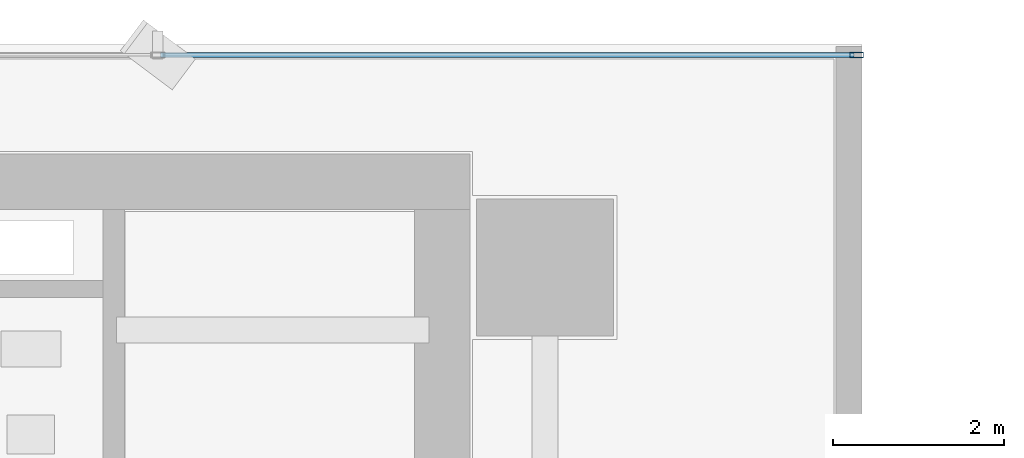
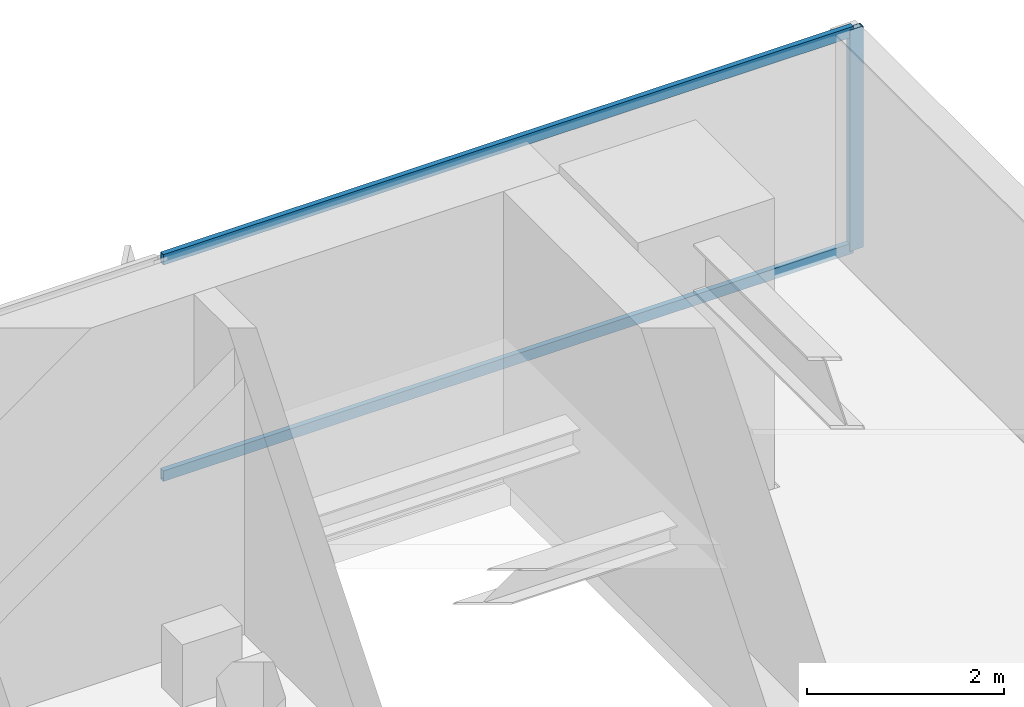
# One storey, part 26 of 36: 3 members, 1 element without a shape of its own.
"""IFC4 building model written with IfcOpenShell, lengths in metres."""

from ifc_helpers import new_model, si_unit, direction, frame, origin, origin_2d, place, context, subcontext, project, spatial, hollow_rectangle, extrude, source, transform, mapped, material, layer, layer_set, material_profile, profile_set, type_object, element, aggregate, save


model = new_model("IFC4")

# Units and contexts
model_context = context("Model", 3, precision=1e-05, world=origin(), true_north=direction((0.0, 1.0)))
body_context = subcontext(model_context, "Body", "Model", "MODEL_VIEW")
ifc_project = project(units=[si_unit("LENGTHUNIT", "METRE"), si_unit("AREAUNIT", "SQUARE_METRE"), si_unit("VOLUMEUNIT", "CUBIC_METRE"), si_unit("PLANEANGLEUNIT", "RADIAN"), si_unit("MASSUNIT", "GRAM", prefix="KILO")], contexts=[model_context])

# Site, building, storey
site_placement = place(None, origin())
site = spatial("IfcSite", under=ifc_project, at=site_placement, CompositionType="ELEMENT")
building_placement = place(site_placement, origin())
building = spatial("IfcBuilding", under=site, at=building_placement, Name="Sumidabori Civic Tower", CompositionType="ELEMENT")
storey_placement = place(building_placement, frame((0.0, 0.0, 77.60009765625)))
storey = spatial("IfcBuildingStorey", under=building, at=storey_placement, Name="L19", CompositionType="ELEMENT", Elevation=77.60009765625)

# Curtain wall, members
ifc_material = material(Name="Anodised Bronze Aluminium AW-6063-T6", Category="aluminium")
ifc_layer = layer(ifc_material, 0.179931640625, Name="Anodised Bronze Aluminium AW-6063-T6")
ifc_layer_set = layer_set([ifc_layer], Name="Anodised Bronze Aluminium AW-6063-T6")
curtain_wall_type = type_object("IfcCurtainWallType", Name="CW-SYS-3", PredefinedType="NOTDEFINED", material=ifc_layer_set)
curtain_wall_placement = place(storey_placement, origin())
curtain_wall = element("IfcCurtainWall", 1, at=curtain_wall_placement, inside=storey, type_object=curtain_wall_type, Name="Curtain Wall CW:L19:R07", PredefinedType="NOTDEFINED")
ifc_material_profile_1 = material_profile(ifc_material, hollow_rectangle(XDim=0.06494140625, YDim=0.159912109375, WallThickness=0.0048828125, at=origin_2d()), Name="ALU MULLION 160x65")
ifc_profile_set_1 = profile_set([ifc_material_profile_1], Name="Anodised Bronze Aluminium AW-6063-T6")
member_type_1 = type_object("IfcMemberType", Name="CW-MUL-160", PredefinedType="MULLION", material=ifc_profile_set_1)
shared_shape_1 = source(origin(), body_context, "Body", "SweptSolid", [
    extrude(hollow_rectangle(XDim=0.06494140625, YDim=0.159912109375, WallThickness=0.0048828125, at=origin_2d()), origin(), (0.0, 0.0, 1.0), 2.739990234375),
])
member_1_placement = place(storey_placement, frame((20.4375, 25.280029296875, 0.0), z_axis=(0.0, 0.0, 1.0), x_axis=(0.0, -1.0, 0.0)))
member_1 = element("IfcMember", 2, at=member_1_placement, type_object=member_type_1, Name="CW-3 mullion 1", PredefinedType="MULLION", context=body_context, shape_type="MappedRepresentation", body=[
    mapped(shared_shape_1, transform((0.0, 0.0, 0.0), x_axis=(1.0, 0.0, 0.0), y_axis=(0.0, 1.0, 0.0), z_axis=(0.0, 0.0, 1.0), scale=1.0)),
])
ifc_material_profile_2 = material_profile(ifc_material, hollow_rectangle(XDim=0.06005859375, YDim=0.1298828125, WallThickness=0.0048828125, at=origin_2d()), Name="ALU TRANSOM 130x60")
ifc_profile_set_2 = profile_set([ifc_material_profile_2], Name="Anodised Bronze Aluminium AW-6063-T6")
member_type_2 = type_object("IfcMemberType", Name="CW-TRN-130", PredefinedType="USERDEFINED", material=ifc_profile_set_2)
shared_shape_2 = source(origin(), body_context, "Body", "SweptSolid", [
    extrude(hollow_rectangle(XDim=0.06005859375, YDim=0.1298828125, WallThickness=0.0048828125, at=origin_2d()), origin(), (0.0, 0.0, 1.0), 8.090576171875),
])
member_2_placement = place(storey_placement, frame((20.405029296875, 25.280029296875, 0.02978515625), z_axis=(-1.0, 0.0, 0.0), x_axis=(0.0, -1.0, 0.0)))
member_2 = element("IfcMember", 3, at=member_2_placement, type_object=member_type_2, Name="CW-3 transom 1.1", ObjectType="TRANSOM", PredefinedType="USERDEFINED", context=body_context, shape_type="MappedRepresentation", body=[
    mapped(shared_shape_2, transform((0.0, 0.0, 0.0), x_axis=(1.0, 0.0, 0.0), y_axis=(0.0, 1.0, 0.0), z_axis=(0.0, 0.0, 1.0), scale=1.0)),
])
member_3_placement = place(storey_placement, frame((20.405029296875, 25.280029296875, 2.7099609375), z_axis=(-1.0, 0.0, 0.0), x_axis=(0.0, -1.0, 0.0)))
member_3 = element("IfcMember", 4, at=member_3_placement, type_object=member_type_2, Name="CW-3 transom 1.2", ObjectType="TRANSOM", PredefinedType="USERDEFINED", context=body_context, shape_type="MappedRepresentation", body=[
    mapped(shared_shape_2, transform((0.0, 0.0, 0.0), x_axis=(1.0, 0.0, 0.0), y_axis=(0.0, 1.0, 0.0), z_axis=(0.0, 0.0, 1.0), scale=1.0)),
])
aggregate(curtain_wall, [member_1, member_2, member_3])

save(model, "model.ifc")
